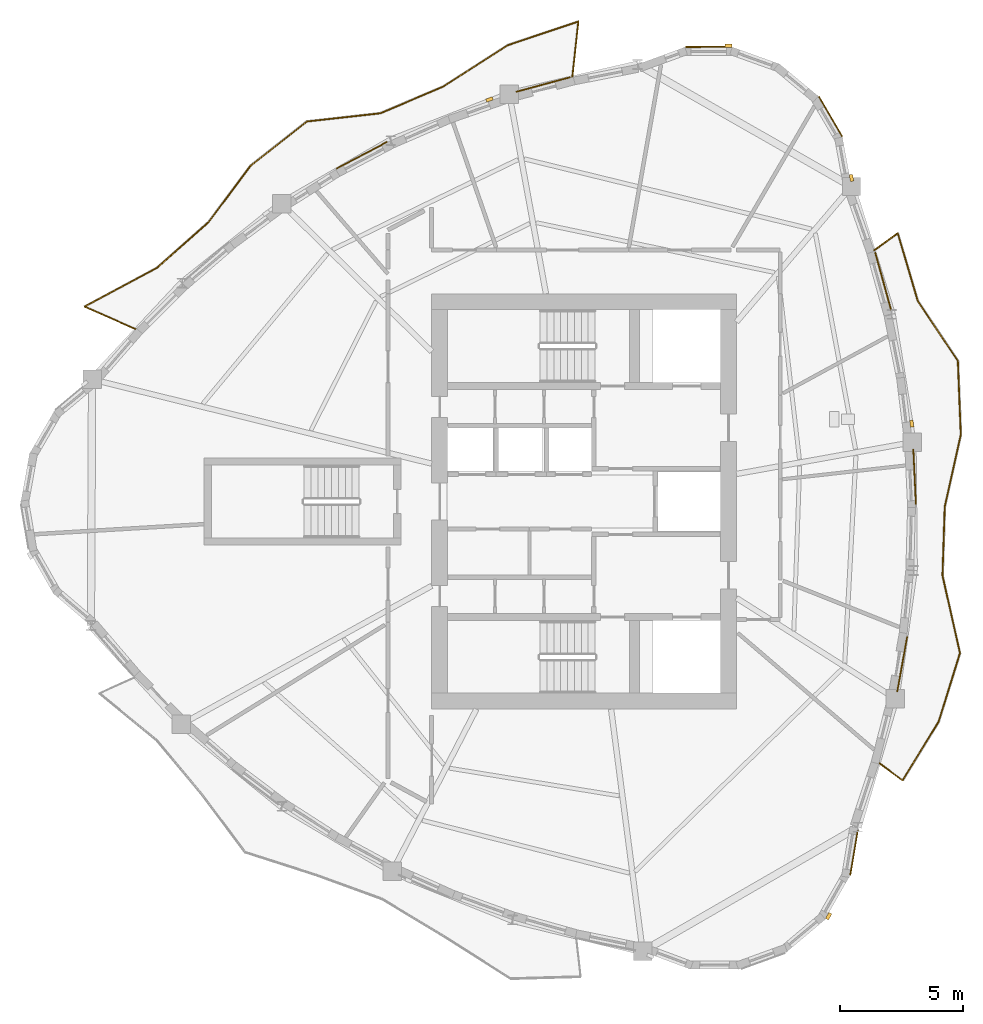
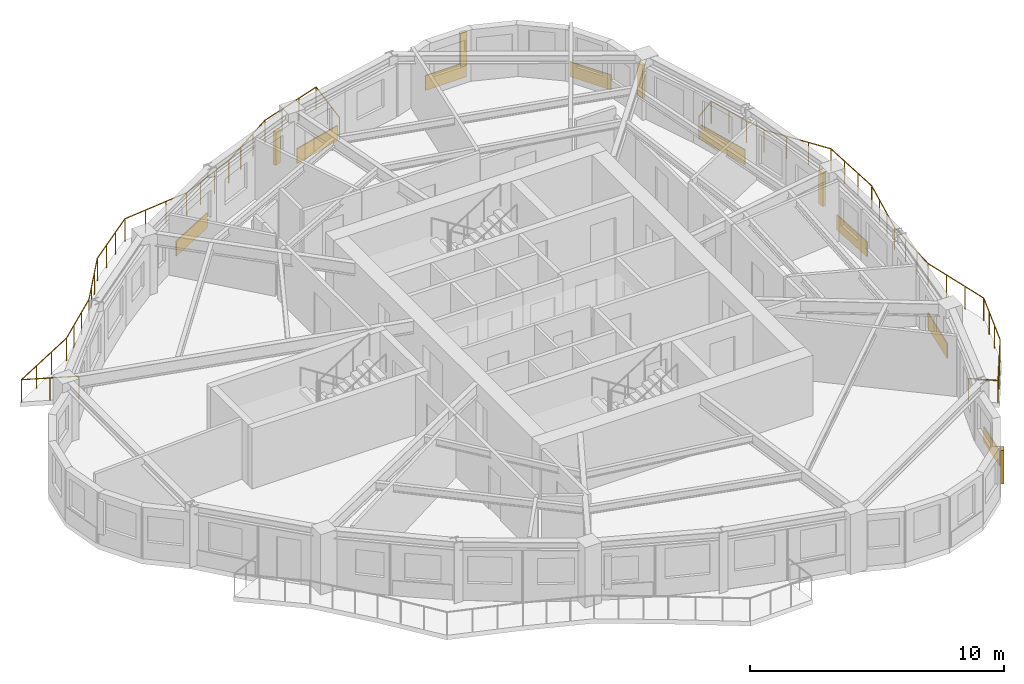
# One storey, part 11 of 12: 8 coverings, 5 shading devices, 2 railings.
"""IFC4 building model written with IfcOpenShell, lengths in metres."""

import ifcopenshell
import ifcopenshell.guid

model = None  # the IFC model being written
_history = None  # IfcOwnerHistory: only IFC2X3 demands one
_inside = {}  # id of a spatial element -> (the spatial element, [elements in it])
_under = {}  # id of a project, library or spatial element -> (it, [spatial elements below it])
_declared = {}  # id of a project -> (the project, [libraries it declares])
_typed = {}  # id of a type object -> (the type object, [elements of that type])
_made_of = {}  # id of a material, layer set ... -> (it, [elements and type objects made of it])


def new_model(schema):
    """Start an empty IFC model of exactly this schema.

    Asked for "IFC4X3", IfcOpenShell would pick the latest addendum, in which some entities
    have other attributes; the version numbers below select the first issue.
    IFC2X3 requires an IfcOwnerHistory on every rooted entity: one is made here for all.
    """
    global model, _history
    if schema == "IFC4X3":
        model = ifcopenshell.file(schema_version=(4, 3, 0, 0))
    else:
        model = ifcopenshell.file(schema=schema)
    _inside.clear()
    _under.clear()
    _declared.clear()
    _typed.clear()
    _made_of.clear()
    _history = None
    if model.schema == "IFC2X3":
        org = make("IfcOrganization", Name="unknown")
        user = make(
            "IfcPersonAndOrganization",
            ThePerson=make("IfcPerson", FamilyName="unknown"),
            TheOrganization=org,
        )
        app = make(
            "IfcApplication",
            ApplicationDeveloper=org,
            Version="unknown",
            ApplicationFullName="unknown",
            ApplicationIdentifier="unknown",
        )
        _history = make(
            "IfcOwnerHistory",
            OwningUser=user,
            OwningApplication=app,
            ChangeAction="ADDED",
            CreationDate=0,
        )
    return model


def make(cls, **values):
    """One entity of the class cls with the attributes given. An attribute that is None is left unset."""
    return model.create_entity(
        cls, **{name: value for name, value in values.items() if value is not None}
    )


def rooted(cls, **values):
    """An entity with a GlobalId (a new one), such as an element, a storey or a relation."""
    return make(cls, GlobalId=ifcopenshell.guid.new(), OwnerHistory=_history, **values)


def si_unit(unit_type, name, prefix=None):
    """IfcSIUnit, for example si_unit("LENGTHUNIT", "METRE", prefix="MILLI")."""
    return make("IfcSIUnit", UnitType=unit_type, Prefix=prefix, Name=name)


def assignment(units):
    """IfcUnitAssignment: the units of a project."""
    return None if units is None else make("IfcUnitAssignment", Units=units)


def point(xyz):
    """IfcCartesianPoint."""
    return None if xyz is None else make("IfcCartesianPoint", Coordinates=xyz)


def direction(xyz):
    """IfcDirection."""
    return None if xyz is None else make("IfcDirection", DirectionRatios=xyz)


def frame(location, z_axis=None, x_axis=None):
    """IfcAxis2Placement3D, a coordinate frame: its origin and axes. An axis left out is left unset."""
    return make(
        "IfcAxis2Placement3D",
        Location=point(location),
        Axis=direction(z_axis),
        RefDirection=direction(x_axis),
    )


def frame_2d(location, x_axis=None):
    """IfcAxis2Placement2D, a coordinate frame in the plane: its origin and x axis."""
    return make(
        "IfcAxis2Placement2D", Location=point(location), RefDirection=direction(x_axis)
    )


def origin():
    """The frame at (0, 0, 0) with its axes left unset."""
    return frame((0.0, 0.0, 0.0))


def origin_2d():
    """The frame at (0, 0) in the plane with its x axis left unset."""
    return frame_2d((0.0, 0.0))


def place(relative_to, where):
    """IfcLocalPlacement: puts the frame where relative to a parent placement (None: the world)."""
    return make(
        "IfcLocalPlacement", PlacementRelTo=relative_to, RelativePlacement=where
    )


def context(
    kind, dimensions, precision=None, world=None, true_north=None, identifier=None
):
    """IfcGeometricRepresentationContext, for example the 3D "Model" context."""
    return make(
        "IfcGeometricRepresentationContext",
        ContextIdentifier=identifier,
        ContextType=kind,
        CoordinateSpaceDimension=dimensions,
        Precision=precision,
        WorldCoordinateSystem=world,
        TrueNorth=true_north,
    )


def subcontext(parent, identifier, kind, view, scale=None):
    """IfcGeometricRepresentationSubContext, for example "Body" below "Model"."""
    return make(
        "IfcGeometricRepresentationSubContext",
        ContextIdentifier=identifier,
        ContextType=kind,
        ParentContext=parent,
        TargetScale=scale,
        TargetView=view,
    )


def project(units=None, contexts=None):
    """IfcProject with its units and contexts."""
    return rooted(
        "IfcProject",
        Name="project",
        RepresentationContexts=contexts,
        UnitsInContext=assignment(units),
    )


def spatial(cls, under=None, at=None, **own):
    """A site, building, storey or space (cls), placed at a placement, below another one or the project."""
    s = rooted(cls, ObjectPlacement=at, **own)
    if under is not None:
        _under.setdefault(under.id(), (under, []))[1].append(s)
    return s


def profile(cls, at=None, kind="AREA", **sizes):
    """A parametric profile (cls). Its sizes go by their IFC names, for example OverallWidth=200.0."""
    return make(cls, ProfileType=kind, Position=at, **sizes)


def rectangle(**sizes):
    """IfcRectangleProfileDef."""
    return profile("IfcRectangleProfileDef", **sizes)


def circle(**sizes):
    """IfcCircleProfileDef."""
    return profile("IfcCircleProfileDef", **sizes)


def extrude(swept, where, along, depth):
    """IfcExtrudedAreaSolid: the profile swept, set in the frame where, extruded along a direction by depth."""
    return make(
        "IfcExtrudedAreaSolid",
        SweptArea=swept,
        Position=where,
        ExtrudedDirection=direction(along),
        Depth=depth,
    )


def shape(context_of_items, identifier, shape_type, items):
    """IfcShapeRepresentation: the items that make up one representation, for example the "Body"."""
    return make(
        "IfcShapeRepresentation",
        ContextOfItems=context_of_items,
        RepresentationIdentifier=identifier,
        RepresentationType=shape_type,
        Items=items,
    )


def source(mapping_origin, context_of_items, identifier, shape_type, items):
    """IfcRepresentationMap: a shape defined once, which mapped items show again and again."""
    return make(
        "IfcRepresentationMap",
        MappingOrigin=mapping_origin,
        MappedRepresentation=shape(context_of_items, identifier, shape_type, items),
    )


def transform(
    local_origin,
    x_axis=None,
    y_axis=None,
    z_axis=None,
    scale=None,
    scale2=None,
    scale3=None,
    uniform=True,
):
    """IfcCartesianTransformationOperator3D, or its non-uniform kind. x_axis, y_axis, z_axis: its Axis1, 2, 3."""
    if uniform:
        return make(
            "IfcCartesianTransformationOperator3D",
            Axis1=direction(x_axis),
            Axis2=direction(y_axis),
            LocalOrigin=point(local_origin),
            Scale=scale,
            Axis3=direction(z_axis),
        )
    return make(
        "IfcCartesianTransformationOperator3DnonUniform",
        Axis1=direction(x_axis),
        Axis2=direction(y_axis),
        LocalOrigin=point(local_origin),
        Scale=scale,
        Axis3=direction(z_axis),
        Scale2=scale2,
        Scale3=scale3,
    )


def mapped(mapping_source, mapping_target):
    """IfcMappedItem: shows the shape of a source again, moved by a transform."""
    return make(
        "IfcMappedItem", MappingSource=mapping_source, MappingTarget=mapping_target
    )


def material(Name=None, Category=None):
    """IfcMaterial."""
    return make("IfcMaterial", Name=Name, Category=Category)


def layer(
    of_material, thickness, ventilated=None, Name=None, Category=None, Priority=None
):
    """IfcMaterialLayer: one layer of a wall or slab, of a material (None: an air gap)."""
    return make(
        "IfcMaterialLayer",
        Material=of_material,
        LayerThickness=thickness,
        IsVentilated=ventilated,
        Name=Name,
        Category=Category,
        Priority=Priority,
    )


def layer_set(layers, Name=None):
    """IfcMaterialLayerSet."""
    return make("IfcMaterialLayerSet", MaterialLayers=layers, LayerSetName=Name)


def made_of(thing, what):
    """Note that an element or type object is made of a material, layer set ...; save() writes the relation."""
    if what is not None:
        _made_of.setdefault(what.id(), (what, []))[1].append(thing)
    return thing


def type_object(cls, material=None, **own):
    """A type object (cls), such as IfcWallType, which elements share."""
    return made_of(rooted(cls, **own), material)


def element(
    cls,
    number,
    at=None,
    inside=None,
    cuts=None,
    type_object=None,
    material=None,
    context=None,
    identifier="Body",
    shape_type=None,
    held_by="IfcProductDefinitionShape",
    body=None,
    shapes=None,
    **own,
):
    """One element of the class cls, such as IfcWall. Its Tag is "e" and its number.

    at: its placement. inside: the storey or other place that contains it. cuts: it is an
    opening in that element (IfcRelVoidsElement). A single representation is given by context,
    identifier, shape_type and body (its items); several are given by shapes. held_by: the class
    of the entity that holds the representations. save() writes the other relations.
    """
    e = rooted(cls, Tag="e%d" % number, ObjectPlacement=at, **own)
    if body is not None:
        shapes = [shape(context, identifier, shape_type, body)]
    if shapes is not None:
        e.Representation = make(held_by, Representations=shapes)
    if inside is not None:
        _inside.setdefault(inside.id(), (inside, []))[1].append(e)
    if cuts is not None:
        rooted(
            "IfcRelVoidsElement", RelatingBuildingElement=cuts, RelatedOpeningElement=e
        )
    if type_object is not None:
        _typed.setdefault(type_object.id(), (type_object, []))[1].append(e)
    return made_of(e, material)


def aggregate(whole, parts):
    """IfcRelAggregates: a whole, such as a stair, and the parts it consists of."""
    return rooted("IfcRelAggregates", RelatingObject=whole, RelatedObjects=parts)


def save(model, path):
    """Write the relations noted so far, then the file.

    IfcRelAggregates (storeys below a building ...), IfcRelContainedInSpatialStructure (elements
    in a storey), IfcRelDefinesByType, IfcRelAssociatesMaterial and IfcRelDeclares: one each for
    every whole, place, type object, material and project.
    """
    for whole, parts in _under.values():
        aggregate(whole, parts)
    for where, things in _inside.values():
        rooted(
            "IfcRelContainedInSpatialStructure",
            RelatedElements=things,
            RelatingStructure=where,
        )
    for kind, things in _typed.values():
        rooted("IfcRelDefinesByType", RelatedObjects=things, RelatingType=kind)
    for what, things in _made_of.values():
        rooted("IfcRelAssociatesMaterial", RelatedObjects=things, RelatingMaterial=what)
    for by, libraries in _declared.values():
        rooted("IfcRelDeclares", RelatingContext=by, RelatedDefinitions=libraries)
    model.write(path)


model = new_model("IFC4")

# Units and contexts
model_context = context("Model", 3, precision=1e-05, world=origin(), true_north=direction((0.0, 1.0)))
body_context = subcontext(model_context, "Body", "Model", "MODEL_VIEW")
ifc_project = project(units=[si_unit("LENGTHUNIT", "METRE"), si_unit("AREAUNIT", "SQUARE_METRE"), si_unit("VOLUMEUNIT", "CUBIC_METRE"), si_unit("PLANEANGLEUNIT", "RADIAN"), si_unit("MASSUNIT", "GRAM", prefix="KILO")], contexts=[model_context])

# Site, building, storey
site_placement = place(None, origin())
site = spatial("IfcSite", under=ifc_project, at=site_placement, CompositionType="ELEMENT")
building_placement = place(site_placement, origin())
building = spatial("IfcBuilding", under=site, at=building_placement, Name="Qafzar Sky-Pleat Residences", CompositionType="ELEMENT")
storey_placement = place(building_placement, frame((0.0, 0.0, 187.39990234375)))
storey = spatial("IfcBuildingStorey", under=building, at=storey_placement, Name="L56", CompositionType="ELEMENT", Elevation=187.39990234375)

# Shading devices
ifc_material_1 = material(Name="Honed Riyadh limestone solar fin", Category="masonry")
ifc_layer_1 = layer(ifc_material_1, 0.139892578125)
ifc_layer_set_1 = layer_set([ifc_layer_1], Name="Honed Riyadh limestone solar fin")
shading_device_type = type_object("IfcShadingDeviceType", Name="SHD-FIN-STONE", PredefinedType="SHUTTER", material=ifc_layer_set_1)
shared_shape_1 = source(origin(), body_context, "Body", "SweptSolid", [
    extrude(rectangle(XDim=0.139892578125, YDim=0.280029296875, at=origin_2d()), origin(), (0.0, 0.0, 1.0), 1.60009765625),
])
for number, where, z_axis, x_axis, name in (
    (1, (40.29931640625, 9.130615234375, 0.60009765625), (0.0, 0.0, 1.0), (0.86845497166, -0.495768052821, 0.0), "L56 Limestone Solar Fin 21"),
    (2, (43.679443359375, 29.165771484375, 0.60009765625), (0.0, 0.0, 1.0), (0.992414501164, 0.122936804413, 0.0), "L56 Limestone Solar Fin 29"),
    (3, (41.230224609375, 39.16259765625, 0.60009765625), (0.0, 0.0, 1.0), (0.983217119636, 0.182439293069, 0.0), "L56 Limestone Solar Fin 33"),
    (4, (36.220458984375, 44.535888671875, 0.60009765625), (0.0, 0.0, 1.0), (-0.002443882984, 0.999997013714, 0.0), "L56 Limestone Solar Fin 37"),
    (5, (26.502685546875, 42.352294921875, 0.60009765625), (0.0, 0.0, 1.0), (-0.329527154717, 0.944146097966, 0.0), "L56 Limestone Solar Fin 41"),
):
    element("IfcShadingDevice", number, at=place(storey_placement, frame(where, z_axis=z_axis, x_axis=x_axis)), inside=storey, type_object=shading_device_type, Name=name, PredefinedType="SHUTTER", context=body_context, shape_type="MappedRepresentation", body=[
        mapped(shared_shape_1, transform((0.0, 0.0, 0.0), x_axis=(1.0, 0.0, 0.0), y_axis=(0.0, 1.0, 0.0), z_axis=(0.0, 0.0, 1.0), scale=1.0)),
    ])

# Coverings
ifc_material_2 = material(Name="Honed Riyadh Tuwaiq limestone cladding", Category="masonry")
ifc_layer_2 = layer(ifc_material_2, 0.044921875)
ifc_layer_set_2 = layer_set([ifc_layer_2], Name="Honed Riyadh Tuwaiq limestone cladding")
covering_type = type_object("IfcCoveringType", Name="COV-CLAD-STONE", PredefinedType="CLADDING", material=ifc_layer_set_2)
shared_shape_2 = source(origin(), body_context, "Body", "SweptSolid", [
    extrude(rectangle(XDim=1.845703125, YDim=0.044921875, at=origin_2d()), origin(), (0.0, 0.0, 1.0), 0.719970703125),
])
covering_1_placement = place(storey_placement, frame((41.3310546875, 11.714599609375, 0.02001953125), z_axis=(0.0, 0.0, 1.0), x_axis=(0.165687701877, 0.98617827265, 0.0)))
element("IfcCovering", 6, at=covering_1_placement, inside=storey, type_object=covering_type, Name="L56 Riyadh Limestone Spandrel Cladding 22", PredefinedType="CLADDING", context=body_context, shape_type="MappedRepresentation", body=[
    mapped(shared_shape_2, transform((0.0, 0.0, 0.0), x_axis=(1.0, 0.0, 0.0), y_axis=(0.0, 1.0, 0.0), z_axis=(0.0, 0.0, 1.0), scale=1.0)),
])
shared_shape_3 = source(origin(), body_context, "Body", "SweptSolid", [
    extrude(rectangle(XDim=1.872802734375, YDim=0.044921875, at=origin_2d()), origin(), (0.0, 0.0, 1.0), 0.719970703125),
])
for number, where, z_axis, x_axis, name in (
    (7, (40.374755859375, 41.65966796875, 0.02001953125), (0.0, 0.0, 1.0), (-0.506268159892, 0.862376107206, 0.0), "L56 Riyadh Limestone Spandrel Cladding 34"),
    (8, (35.41552734375, 44.49072265625, 0.02001953125), (0.0, 0.0, 1.0), (-0.999996996938, -0.002450737482, 0.0), "L56 Riyadh Limestone Spandrel Cladding 37"),
):
    element("IfcCovering", number, at=place(storey_placement, frame(where, z_axis=z_axis, x_axis=x_axis)), inside=storey, type_object=covering_type, Name=name, PredefinedType="CLADDING", context=body_context, shape_type="MappedRepresentation", body=[
        mapped(shared_shape_3, transform((0.0, 0.0, 0.0), x_axis=(1.0, 0.0, 0.0), y_axis=(0.0, 1.0, 0.0), z_axis=(0.0, 0.0, 1.0), scale=1.0)),
    ])

# Railings
ifc_material_3 = material(Name="Laminated glass and bronze steel balustrade", Category="steel")
railing_type = type_object("IfcRailingType", Name="RAIL-BAL-1100", PredefinedType="BALUSTRADE", material=ifc_material_3)
shared_shape_4 = source(origin(), body_context, "Body", "SweptSolid", [
    extrude(circle(Radius=0.02392578125, at=origin_2d()), frame((0.0, 0.0, 1.076171875), z_axis=(0.803344244753, -0.595514923761, 0.0), x_axis=(0.595514923761, 0.803344244753, 0.0)), (0.0, 0.0, 1.0), 1.17822265625),
    extrude(circle(Radius=0.02392578125, at=origin_2d()), frame((0.946533203125, -0.70166015625, 1.076171875), z_axis=(0.524043900996, 0.851691252643, 0.0), x_axis=(-0.851691252643, 0.524043900996, 0.0)), (0.0, 0.0, 1.0), 2.799560546875),
    extrude(circle(Radius=0.02392578125, at=origin_2d()), frame((2.41357421875, 1.6826171875, 1.076171875), z_axis=(0.297102031568, 0.954845737718, 0.0), x_axis=(-0.954845737718, 0.297102031568, 0.0)), (0.0, 0.0, 1.0), 2.927978515625),
    extrude(circle(Radius=0.02392578125, at=origin_2d()), frame((3.283447265625, 4.478271484375, 1.076171875), z_axis=(-0.220191340545, 0.975456699987, 0.0), x_axis=(-0.975456699987, -0.220191340545, 0.0)), (0.0, 0.0, 1.0), 3.233154296875),
    extrude(circle(Radius=0.02392578125, at=origin_2d()), frame((2.571533203125, 7.632080078125, 1.076171875), z_axis=(0.032842031659, 0.999460554978, 0.0), x_axis=(-0.999460554978, 0.032842031659, 0.0)), (0.0, 0.0, 1.0), 2.802490234375),
    extrude(circle(Radius=0.02392578125, at=origin_2d()), frame((2.66357421875, 10.43310546875, 1.076171875), z_axis=(0.218052764742, 0.975936981464, 0.0), x_axis=(-0.975936981464, 0.218052764742, 0.0)), (0.0, 0.0, 1.0), 2.993896484375),
    extrude(circle(Radius=0.02392578125, at=origin_2d()), frame((3.31640625, 13.35498046875, 1.076171875), z_axis=(-0.039563320721, 0.999217065333, 0.0), x_axis=(-0.999217065333, -0.039563320721, 0.0)), (0.0, 0.0, 1.0), 3.011474609375),
    extrude(circle(Radius=0.02392578125, at=origin_2d()), frame((3.197265625, 16.364013671875, 1.076171875), z_axis=(-0.556427990437, 0.830895836708, 0.0), x_axis=(-0.830895836708, -0.556427990437, 0.0)), (0.0, 0.0, 1.0), 2.9326171875),
    extrude(circle(Radius=0.02392578125, at=origin_2d()), frame((1.5654296875, 18.80078125, 1.076171875), z_axis=(-0.283155955018, 0.959073878874, 0.0), x_axis=(-0.959073878874, -0.283155955018, 0.0)), (0.0, 0.0, 1.0), 2.87109375),
    extrude(circle(Radius=0.02392578125, at=origin_2d()), frame((0.75244140625, 21.554443359375, 1.076171875), z_axis=(-0.810712015168, -0.585445154103, 0.0), x_axis=(0.585445154103, -0.810712015168, 0.0)), (0.0, 0.0, 1.0), 1.177978515625),
    extrude(circle(Radius=0.02099609375, at=origin_2d()), origin(), (0.0, 0.0, 1.0), 1.052001953125),
    extrude(circle(Radius=0.02099609375, at=origin_2d()), frame((0.946533203125, -0.70166015625, 0.0)), (0.0, 0.0, 1.0), 1.052001953125),
    extrude(circle(Radius=0.02099609375, at=origin_2d()), frame((1.435546875, 0.093017578125, 0.0)), (0.0, 0.0, 1.0), 1.052001953125),
    extrude(circle(Radius=0.02099609375, at=origin_2d()), frame((1.924560546875, 0.887939453125, 0.0)), (0.0, 0.0, 1.0), 1.052001953125),
    extrude(circle(Radius=0.02099609375, at=origin_2d()), frame((2.41357421875, 1.6826171875, 0.0)), (0.0, 0.0, 1.0), 1.052001953125),
    extrude(circle(Radius=0.02099609375, at=origin_2d()), frame((2.70361328125, 2.614501953125, 0.0)), (0.0, 0.0, 1.0), 1.052001953125),
    extrude(circle(Radius=0.02099609375, at=origin_2d()), frame((2.993408203125, 3.54638671875, 0.0)), (0.0, 0.0, 1.0), 1.052001953125),
    extrude(circle(Radius=0.02099609375, at=origin_2d()), frame((3.283447265625, 4.478271484375, 0.0)), (0.0, 0.0, 1.0), 1.052001953125),
    extrude(circle(Radius=0.02099609375, at=origin_2d()), frame((3.046142578125, 5.529541015625, 0.0)), (0.0, 0.0, 1.0), 1.052001953125),
    extrude(circle(Radius=0.02099609375, at=origin_2d()), frame((2.808837890625, 6.580810546875, 0.0)), (0.0, 0.0, 1.0), 1.052001953125),
    extrude(circle(Radius=0.02099609375, at=origin_2d()), frame((2.571533203125, 7.632080078125, 0.0)), (0.0, 0.0, 1.0), 1.052001953125),
    extrude(circle(Radius=0.02099609375, at=origin_2d()), frame((2.602294921875, 8.565673828125, 0.0)), (0.0, 0.0, 1.0), 1.052001953125),
    extrude(circle(Radius=0.02099609375, at=origin_2d()), frame((2.6328125, 9.49951171875, 0.0)), (0.0, 0.0, 1.0), 1.052001953125),
    extrude(circle(Radius=0.02099609375, at=origin_2d()), frame((2.66357421875, 10.43310546875, 0.0)), (0.0, 0.0, 1.0), 1.052001953125),
    extrude(circle(Radius=0.02099609375, at=origin_2d()), frame((2.881103515625, 11.406982421875, 0.0)), (0.0, 0.0, 1.0), 1.052001953125),
    extrude(circle(Radius=0.02099609375, at=origin_2d()), frame((3.098876953125, 12.381103515625, 0.0)), (0.0, 0.0, 1.0), 1.052001953125),
    extrude(circle(Radius=0.02099609375, at=origin_2d()), frame((3.31640625, 13.35498046875, 0.0)), (0.0, 0.0, 1.0), 1.052001953125),
    extrude(circle(Radius=0.02099609375, at=origin_2d()), frame((3.276611328125, 14.35791015625, 0.0)), (0.0, 0.0, 1.0), 1.052001953125),
    extrude(circle(Radius=0.02099609375, at=origin_2d()), frame((3.237060546875, 15.361083984375, 0.0)), (0.0, 0.0, 1.0), 1.052001953125),
    extrude(circle(Radius=0.02099609375, at=origin_2d()), frame((3.197265625, 16.364013671875, 0.0)), (0.0, 0.0, 1.0), 1.052001953125),
    extrude(circle(Radius=0.02099609375, at=origin_2d()), frame((2.6533203125, 17.17626953125, 0.0)), (0.0, 0.0, 1.0), 1.052001953125),
    extrude(circle(Radius=0.02099609375, at=origin_2d()), frame((2.109375, 17.988525390625, 0.0)), (0.0, 0.0, 1.0), 1.052001953125),
    extrude(circle(Radius=0.02099609375, at=origin_2d()), frame((1.5654296875, 18.80078125, 0.0)), (0.0, 0.0, 1.0), 1.052001953125),
    extrude(circle(Radius=0.02099609375, at=origin_2d()), frame((1.29443359375, 19.71875, 0.0)), (0.0, 0.0, 1.0), 1.052001953125),
    extrude(circle(Radius=0.02099609375, at=origin_2d()), frame((1.0234375, 20.636474609375, 0.0)), (0.0, 0.0, 1.0), 1.052001953125),
    extrude(circle(Radius=0.02099609375, at=origin_2d()), frame((0.75244140625, 21.554443359375, 0.0)), (0.0, 0.0, 1.0), 1.052001953125),
    extrude(circle(Radius=0.02099609375, at=origin_2d()), frame((-0.20263671875, 20.86474609375, 0.0)), (0.0, 0.0, 1.0), 1.052001953125),
])
railing_1_placement = place(storey_placement, frame((42.358154296875, 15.357177734375, 0.0)))
element("IfcRailing", 9, at=railing_1_placement, inside=storey, type_object=railing_type, Name="L56 Pleated Balcony 1 Balustrade", PredefinedType="BALUSTRADE", context=body_context, shape_type="MappedRepresentation", body=[
    mapped(shared_shape_4, transform((0.0, 0.0, 0.0), x_axis=(1.0, 0.0, 0.0), y_axis=(0.0, 1.0, 0.0), z_axis=(0.0, 0.0, 1.0), scale=1.0)),
])
shared_shape_5 = source(origin(), body_context, "Body", "SweptSolid", [
    extrude(circle(Radius=0.02392578125, at=origin_2d()), frame((0.0, 0.0, 1.076171875), z_axis=(0.107941374508, 0.994157261035, 0.0), x_axis=(-0.994157261035, 0.107941374508, 0.0)), (0.0, 0.0, 1.0), 2.270751953125),
    extrude(circle(Radius=0.02392578125, at=origin_2d()), frame((0.2451171875, 2.257568359375, 1.076171875), z_axis=(-0.947766180531, -0.318965933982, 0.0), x_axis=(0.318965933982, -0.947766180531, 0.0)), (0.0, 0.0, 1.0), 3.0478515625),
    extrude(circle(Radius=0.02392578125, at=origin_2d()), frame((-2.6435546875, 1.285400390625, 1.076171875), z_axis=(-0.841132532307, -0.540829051637, 0.0), x_axis=(0.540829051637, -0.841132532307, 0.0)), (0.0, 0.0, 1.0), 3.10791015625),
    extrude(circle(Radius=0.02392578125, at=origin_2d()), frame((-5.2578125, -0.3955078125, 1.076171875), z_axis=(-0.920624997248, -0.390447966371, 0.0), x_axis=(0.390447966371, -0.920624997248, 0.0)), (0.0, 0.0, 1.0), 2.769287109375),
    extrude(circle(Radius=0.02392578125, at=origin_2d()), frame((-7.807373046875, -1.476806640625, 1.076171875), z_axis=(-0.993822240401, -0.11098357754, 0.0), x_axis=(0.11098357754, -0.993822240401, 0.0)), (0.0, 0.0, 1.0), 3.00927734375),
    extrude(circle(Radius=0.02392578125, at=origin_2d()), frame((-10.798095703125, -1.810791015625, 1.076171875), z_axis=(-0.785711050914, -0.618593682858, 0.0), x_axis=(0.618593682858, -0.785711050914, 0.0)), (0.0, 0.0, 1.0), 2.91748046875),
    extrude(circle(Radius=0.02392578125, at=origin_2d()), frame((-13.09033203125, -3.615478515625, 1.076171875), z_axis=(-0.597557989075, -0.801825697825, 0.0), x_axis=(0.801825697825, -0.597557989075, 0.0)), (0.0, 0.0, 1.0), 2.8505859375),
    extrude(circle(Radius=0.02392578125, at=origin_2d()), frame((-14.793701171875, -5.901123046875, 1.076171875), z_axis=(-0.748065530015, -0.663624866023, 0.0), x_axis=(0.663624866023, -0.748065530015, 0.0)), (0.0, 0.0, 1.0), 2.7900390625),
    extrude(circle(Radius=0.02392578125, at=origin_2d()), frame((-16.880859375, -7.752685546875, 1.076171875), z_axis=(-0.8813978737, -0.472374627003, 0.0), x_axis=(0.472374627003, -0.8813978737, 0.0)), (0.0, 0.0, 1.0), 3.3603515625),
    extrude(circle(Radius=0.02392578125, at=origin_2d()), frame((-19.8427734375, -9.340087890625, 1.076171875), z_axis=(0.914894445626, -0.403693142576, 0.0), x_axis=(0.403693142576, 0.914894445626, 0.0)), (0.0, 0.0, 1.0), 2.27099609375),
    extrude(circle(Radius=0.02099609375, at=origin_2d()), origin(), (0.0, 0.0, 1.0), 1.052001953125),
    extrude(circle(Radius=0.02099609375, at=origin_2d()), frame((0.12255859375, 1.12890625, 0.0)), (0.0, 0.0, 1.0), 1.052001953125),
    extrude(circle(Radius=0.02099609375, at=origin_2d()), frame((0.2451171875, 2.257568359375, 0.0)), (0.0, 0.0, 1.0), 1.052001953125),
    extrude(circle(Radius=0.02099609375, at=origin_2d()), frame((-0.7177734375, 1.93359375, 0.0)), (0.0, 0.0, 1.0), 1.052001953125),
    extrude(circle(Radius=0.02099609375, at=origin_2d()), frame((-1.6806640625, 1.609375, 0.0)), (0.0, 0.0, 1.0), 1.052001953125),
    extrude(circle(Radius=0.02099609375, at=origin_2d()), frame((-2.6435546875, 1.285400390625, 0.0)), (0.0, 0.0, 1.0), 1.052001953125),
    extrude(circle(Radius=0.02099609375, at=origin_2d()), frame((-3.514892578125, 0.72509765625, 0.0)), (0.0, 0.0, 1.0), 1.052001953125),
    extrude(circle(Radius=0.02099609375, at=origin_2d()), frame((-4.386474609375, 0.164794921875, 0.0)), (0.0, 0.0, 1.0), 1.052001953125),
    extrude(circle(Radius=0.02099609375, at=origin_2d()), frame((-5.2578125, -0.3955078125, 0.0)), (0.0, 0.0, 1.0), 1.052001953125),
    extrude(circle(Radius=0.02099609375, at=origin_2d()), frame((-6.107666015625, -0.755859375, 0.0)), (0.0, 0.0, 1.0), 1.052001953125),
    extrude(circle(Radius=0.02099609375, at=origin_2d()), frame((-6.95751953125, -1.116455078125, 0.0)), (0.0, 0.0, 1.0), 1.052001953125),
    extrude(circle(Radius=0.02099609375, at=origin_2d()), frame((-7.807373046875, -1.476806640625, 0.0)), (0.0, 0.0, 1.0), 1.052001953125),
    extrude(circle(Radius=0.02099609375, at=origin_2d()), frame((-8.80419921875, -1.588134765625, 0.0)), (0.0, 0.0, 1.0), 1.052001953125),
    extrude(circle(Radius=0.02099609375, at=origin_2d()), frame((-9.80126953125, -1.699462890625, 0.0)), (0.0, 0.0, 1.0), 1.052001953125),
    extrude(circle(Radius=0.02099609375, at=origin_2d()), frame((-10.798095703125, -1.810791015625, 0.0)), (0.0, 0.0, 1.0), 1.052001953125),
    extrude(circle(Radius=0.02099609375, at=origin_2d()), frame((-11.562255859375, -2.412353515625, 0.0)), (0.0, 0.0, 1.0), 1.052001953125),
    extrude(circle(Radius=0.02099609375, at=origin_2d()), frame((-12.326171875, -3.013916015625, 0.0)), (0.0, 0.0, 1.0), 1.052001953125),
    extrude(circle(Radius=0.02099609375, at=origin_2d()), frame((-13.09033203125, -3.615478515625, 0.0)), (0.0, 0.0, 1.0), 1.052001953125),
    extrude(circle(Radius=0.02099609375, at=origin_2d()), frame((-13.658203125, -4.37744140625, 0.0)), (0.0, 0.0, 1.0), 1.052001953125),
    extrude(circle(Radius=0.02099609375, at=origin_2d()), frame((-14.225830078125, -5.13916015625, 0.0)), (0.0, 0.0, 1.0), 1.052001953125),
    extrude(circle(Radius=0.02099609375, at=origin_2d()), frame((-14.793701171875, -5.901123046875, 0.0)), (0.0, 0.0, 1.0), 1.052001953125),
    extrude(circle(Radius=0.02099609375, at=origin_2d()), frame((-15.489501953125, -6.518310546875, 0.0)), (0.0, 0.0, 1.0), 1.052001953125),
    extrude(circle(Radius=0.02099609375, at=origin_2d()), frame((-16.18505859375, -7.135498046875, 0.0)), (0.0, 0.0, 1.0), 1.052001953125),
    extrude(circle(Radius=0.02099609375, at=origin_2d()), frame((-16.880859375, -7.752685546875, 0.0)), (0.0, 0.0, 1.0), 1.052001953125),
    extrude(circle(Radius=0.02099609375, at=origin_2d()), frame((-17.8681640625, -8.28173828125, 0.0)), (0.0, 0.0, 1.0), 1.052001953125),
    extrude(circle(Radius=0.02099609375, at=origin_2d()), frame((-18.85546875, -8.81103515625, 0.0)), (0.0, 0.0, 1.0), 1.052001953125),
    extrude(circle(Radius=0.02099609375, at=origin_2d()), frame((-19.8427734375, -9.340087890625, 0.0)), (0.0, 0.0, 1.0), 1.052001953125),
    extrude(circle(Radius=0.02099609375, at=origin_2d()), frame((-18.803955078125, -9.79833984375, 0.0)), (0.0, 0.0, 1.0), 1.052001953125),
    extrude(circle(Radius=0.02099609375, at=origin_2d()), frame((-17.76513671875, -10.2568359375, 0.0)), (0.0, 0.0, 1.0), 1.052001953125),
])
railing_2_placement = place(storey_placement, frame((29.873291015625, 43.268798828125, 0.0)))
element("IfcRailing", 10, at=railing_2_placement, inside=storey, type_object=railing_type, Name="L56 Pleated Balcony 2 Balustrade", PredefinedType="BALUSTRADE", context=body_context, shape_type="MappedRepresentation", body=[
    mapped(shared_shape_5, transform((0.0, 0.0, 0.0), x_axis=(1.0, 0.0, 0.0), y_axis=(0.0, 1.0, 0.0), z_axis=(0.0, 0.0, 1.0), scale=1.0)),
])

# Coverings
shared_shape_6 = source(origin(), body_context, "Body", "SweptSolid", [
    extrude(rectangle(XDim=2.2734375, YDim=0.044921875, at=origin_2d()), origin(), (0.0, 0.0, 1.0), 0.719970703125),
])
covering_2_placement = place(storey_placement, frame((43.291015625, 19.37890625, 0.02001953125), z_axis=(0.0, 0.0, 1.0), x_axis=(0.177115419767, 0.984190087372, 0.0)))
element("IfcCovering", 11, at=covering_2_placement, inside=storey, type_object=covering_type, Name="L56 Riyadh Limestone Spandrel Cladding 25", PredefinedType="CLADDING", context=body_context, shape_type="MappedRepresentation", body=[
    mapped(shared_shape_6, transform((0.0, 0.0, 0.0), x_axis=(1.0, 0.0, 0.0), y_axis=(0.0, 1.0, 0.0), z_axis=(0.0, 0.0, 1.0), scale=1.0)),
])
shared_shape_7 = source(origin(), body_context, "Body", "SweptSolid", [
    extrude(rectangle(XDim=2.233154296875, YDim=0.044921875, at=origin_2d()), origin(), (0.0, 0.0, 1.0), 0.719970703125),
])
covering_3_placement = place(storey_placement, frame((43.79638671875, 27.00732421875, 0.02001953125), z_axis=(0.0, 0.0, 1.0), x_axis=(-0.047674285956, 0.998862934771, 0.0)))
element("IfcCovering", 12, at=covering_3_placement, inside=storey, type_object=covering_type, Name="L56 Riyadh Limestone Spandrel Cladding 28", PredefinedType="CLADDING", context=body_context, shape_type="MappedRepresentation", body=[
    mapped(shared_shape_7, transform((0.0, 0.0, 0.0), x_axis=(1.0, 0.0, 0.0), y_axis=(0.0, 1.0, 0.0), z_axis=(0.0, 0.0, 1.0), scale=1.0)),
])
shared_shape_8 = source(origin(), body_context, "Body", "SweptSolid", [
    extrude(rectangle(XDim=2.443603515625, YDim=0.044921875, at=origin_2d()), origin(), (0.0, 0.0, 1.0), 0.719970703125),
])
covering_4_placement = place(storey_placement, frame((42.5185546875, 34.948974609375, 0.02001953125), z_axis=(0.0, 0.0, 1.0), x_axis=(-0.266441187036, 0.963851178269, 0.0)))
element("IfcCovering", 13, at=covering_4_placement, inside=storey, type_object=covering_type, Name="L56 Riyadh Limestone Spandrel Cladding 31", PredefinedType="CLADDING", context=body_context, shape_type="MappedRepresentation", body=[
    mapped(shared_shape_8, transform((0.0, 0.0, 0.0), x_axis=(1.0, 0.0, 0.0), y_axis=(0.0, 1.0, 0.0), z_axis=(0.0, 0.0, 1.0), scale=1.0)),
])
shared_shape_9 = source(origin(), body_context, "Body", "SweptSolid", [
    extrude(rectangle(XDim=2.272216796875, YDim=0.044921875, at=origin_2d()), origin(), (0.0, 0.0, 1.0), 0.719970703125),
])
covering_5_placement = place(storey_placement, frame((28.684326171875, 42.958984375, 0.02001953125), z_axis=(0.0, 0.0, 1.0), x_axis=(-0.965446126386, -0.260602718799, 0.0)))
element("IfcCovering", 14, at=covering_5_placement, inside=storey, type_object=covering_type, Name="L56 Riyadh Limestone Spandrel Cladding 40", PredefinedType="CLADDING", context=body_context, shape_type="MappedRepresentation", body=[
    mapped(shared_shape_9, transform((0.0, 0.0, 0.0), x_axis=(1.0, 0.0, 0.0), y_axis=(0.0, 1.0, 0.0), z_axis=(0.0, 0.0, 1.0), scale=1.0)),
])
shared_shape_10 = source(origin(), body_context, "Body", "SweptSolid", [
    extrude(rectangle(XDim=2.323974609375, YDim=0.044921875, at=origin_2d()), origin(), (0.0, 0.0, 1.0), 0.719970703125),
])
covering_6_placement = place(storey_placement, frame((21.314697265625, 40.085693359375, 0.02001953125), z_axis=(0.0, 0.0, 1.0), x_axis=(-0.884382532583, -0.466762826351, 0.0)))
element("IfcCovering", 15, at=covering_6_placement, inside=storey, type_object=covering_type, Name="L56 Riyadh Limestone Spandrel Cladding 43", PredefinedType="CLADDING", context=body_context, shape_type="MappedRepresentation", body=[
    mapped(shared_shape_10, transform((0.0, 0.0, 0.0), x_axis=(1.0, 0.0, 0.0), y_axis=(0.0, 1.0, 0.0), z_axis=(0.0, 0.0, 1.0), scale=1.0)),
])

save(model, "model.ifc")
